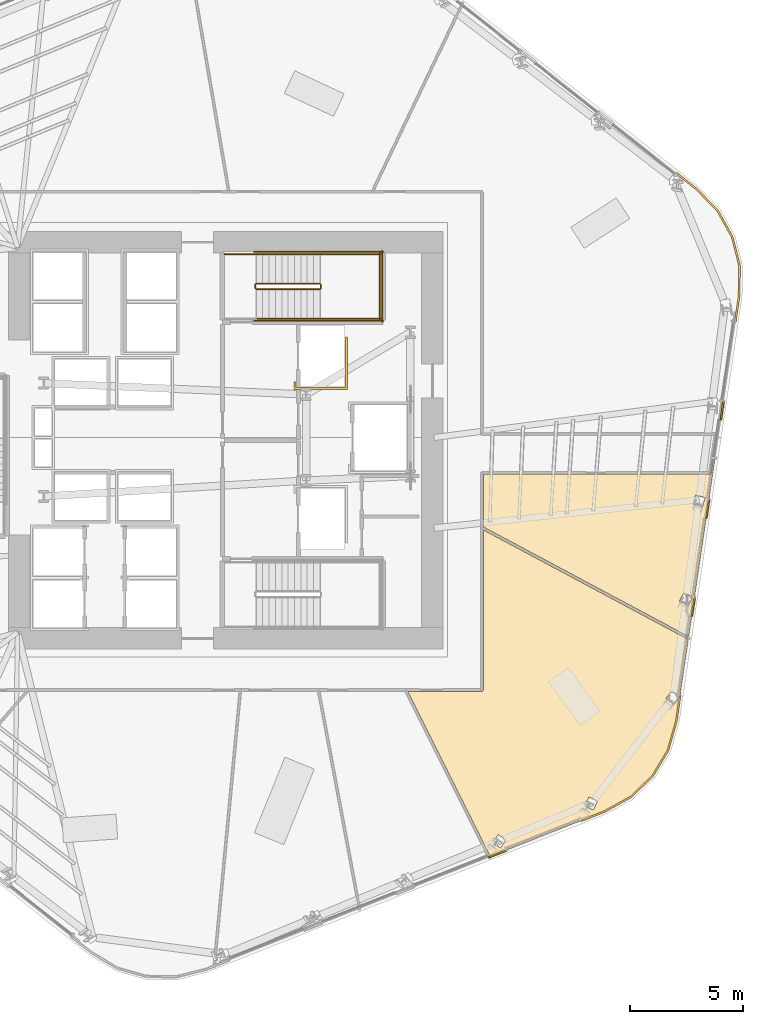
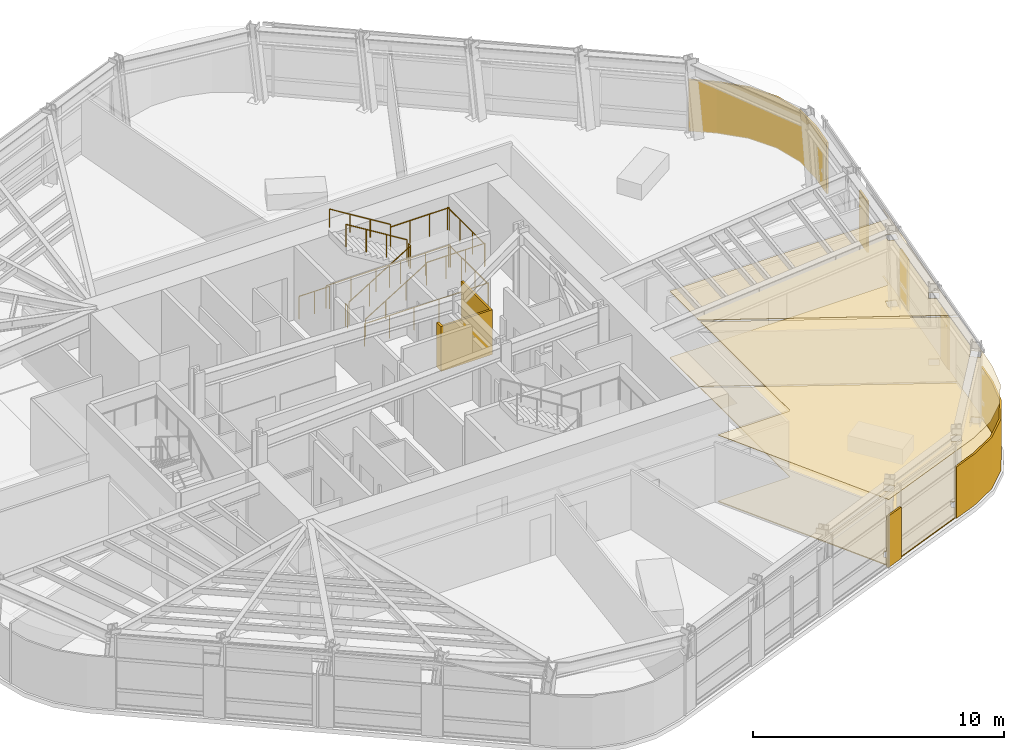
# One storey, part 15 of 17: 13 railings, 11 coverings.
"""IFC4 building model written with IfcOpenShell, lengths in metres."""

from ifc_helpers import new_model, si_unit, direction, frame, origin, origin_2d, place, context, subcontext, project, spatial, polyline, circle, outline, extrude, material, layer, layer_set, type_object, element, save


model = new_model("IFC4")

# Units and contexts
model_context = context("Model", 3, precision=1e-05, world=origin(), true_north=direction((0.0, 1.0)))
body_context = subcontext(model_context, "Body", "Model", "MODEL_VIEW")
ifc_project = project(units=[si_unit("LENGTHUNIT", "METRE"), si_unit("AREAUNIT", "SQUARE_METRE"), si_unit("VOLUMEUNIT", "CUBIC_METRE"), si_unit("PLANEANGLEUNIT", "RADIAN"), si_unit("MASSUNIT", "GRAM", prefix="KILO")], contexts=[model_context])

# Site, building, storey
site_placement = place(None, origin())
site = spatial("IfcSite", under=ifc_project, at=site_placement, CompositionType="ELEMENT")
building_placement = place(site_placement, origin())
building = spatial("IfcBuilding", under=site, at=building_placement, Name="Valkerne Bourse Tower", CompositionType="ELEMENT")
storey_placement = place(building_placement, frame((0.0, 0.0, 116.199951171875)))
storey = spatial("IfcBuildingStorey", under=building, at=storey_placement, Name="L29", CompositionType="ELEMENT", Elevation=116.199951171875)

# Coverings
ifc_material_1 = material(Name="Mineral Fiber Acoustic Ceiling Tile", Category="acoustic")
ifc_layer_1 = layer(ifc_material_1, 0.02490234375)
ifc_layer_set_1 = layer_set([ifc_layer_1], Name="Mineral Fiber Acoustic Ceiling Tile")
covering_type_1 = type_object("IfcCoveringType", Name="COV-CEIL-ACT", PredefinedType="CEILING", material=ifc_layer_set_1)
covering_1_placement = place(storey_placement, frame((0.0, 0.0, 3.22998046875)))
element("IfcCovering", 1, at=covering_1_placement, inside=storey, type_object=covering_type_1, Name="L29 Suspended Ceiling 04", PredefinedType="CEILING", context=body_context, shape_type="SweptSolid", body=[
    extrude(outline(polyline([(58.1689453125, 25.381103515625), (68.177734375, 25.381103515625), (68.218994140625, 25.39794921875), (68.240966796875, 25.435791015625), (68.330078125, 26.0390625), (68.39697265625, 26.0322265625), (67.241455078125, 18.206787109375), (58.1689453125, 23.05419921875), (58.1689453125, 25.381103515625)]), holes=[polyline([(67.40771484375, 19.938720703125), (67.0263671875, 20.14208984375), (66.83056640625, 19.77587890625), (66.82958984375, 19.77294921875), (67.2109375, 19.569580078125), (67.40673828125, 19.935791015625), (67.40771484375, 19.938720703125)]), polyline([(67.966796875, 24.340087890625), (67.552001953125, 24.46142578125), (67.434814453125, 24.06298828125), (67.4345703125, 24.059814453125), (67.849365234375, 23.9384765625), (67.96630859375, 24.3369140625), (67.966796875, 24.340087890625)])]), origin(), (0.0, 0.0, 1.0), 0.025146484375),
])
covering_2_placement = place(storey_placement, frame((0.0, 0.0, 3.22998046875)))
element("IfcCovering", 2, at=covering_2_placement, inside=storey, type_object=covering_type_1, Name="L29 Suspended Ceiling 07", PredefinedType="CEILING", context=body_context, shape_type="SweptSolid", body=[
    extrude(outline(polyline([(64.700439453125, 11.142822265625), (63.5390625, 10.49658203125), (58.4833984375, 8.494873046875), (54.8349609375, 15.781005859375), (58.1005859375, 15.781005859375), (58.135986328125, 15.791015625), (58.16259765625, 15.82080078125), (58.1689453125, 15.849609375), (58.1689453125, 22.92041015625), (67.22314453125, 18.082763671875), (66.689697265625, 14.4716796875), (66.32568359375, 13.193603515625), (65.648193359375, 12.061279296875), (64.700439453125, 11.142822265625)]), holes=[polyline([(58.92919921875, 8.872314453125), (59.173095703125, 9.227294921875), (58.83056640625, 9.46435546875), (58.827880859375, 9.462646484375), (58.583740234375, 9.10791015625), (58.926513671875, 8.87060546875), (58.92919921875, 8.872314453125)]), polyline([(63.036865234375, 10.555419921875), (63.209716796875, 10.94970703125), (62.82861328125, 11.1181640625), (62.826416015625, 11.11572265625), (62.6533203125, 10.721435546875), (63.034423828125, 10.552978515625), (63.036865234375, 10.555419921875)]), polyline([(66.836181640625, 15.538818359375), (66.499755859375, 15.81005859375), (66.23876953125, 15.4873046875), (66.237060546875, 15.484619140625), (66.573486328125, 15.213134765625), (66.83447265625, 15.535888671875), (66.836181640625, 15.538818359375)])]), origin(), (0.0, 0.0, 1.0), 0.025146484375),
])
ifc_material_2 = material(Name="Bronze Anodised Aluminium AA 6063-T6", Category="aluminium")
ifc_layer_2 = layer(ifc_material_2, 0.06005859375)
ifc_layer_set_2 = layer_set([ifc_layer_2], Name="Bronze Anodised Aluminium AA 6063-T6")
covering_type_2 = type_object("IfcCoveringType", Name="COV-CRN-ALUM", PredefinedType="CLADDING", material=ifc_layer_set_2)
covering_3_placement = place(storey_placement, origin())
element("IfcCovering", 3, at=covering_3_placement, inside=storey, type_object=covering_type_2, Name="L29 Wind-Shaped Corner Aluminium Cladding 01", PredefinedType="CLADDING", context=body_context, shape_type="SweptSolid", body=[
    extrude(outline(polyline([(66.366455078125, 13.17578125), (65.682861328125, 12.03369140625), (64.72705078125, 11.107421875), (63.55810546875, 10.456787109375), (62.493408203125, 10.03515625), (62.4638671875, 10.109619140625), (63.523681640625, 10.529052734375), (64.678955078125, 11.172119140625), (65.61962890625, 12.083740234375), (66.29248046875, 13.2080078125), (66.654541015625, 14.479248046875), (66.821044921875, 15.60693359375), (66.900146484375, 15.59521484375), (66.73291015625, 14.46240234375), (66.366455078125, 13.17578125)])), origin(), (0.0, 0.0, 1.0), 2.5),
])
covering_4_placement = place(storey_placement, origin())
element("IfcCovering", 4, at=covering_4_placement, inside=storey, type_object=covering_type_2, Name="L29 Wind-Shaped Corner Aluminium Cladding 02", PredefinedType="CLADDING", context=body_context, shape_type="SweptSolid", body=[
    extrude(outline(polyline([(58.41796875, 8.421630859375), (58.388671875, 8.49609375), (59.169677734375, 8.80517578125), (59.198974609375, 8.730712890625), (58.41796875, 8.421630859375)])), origin(), (0.0, 0.0, 1.0), 2.5),
])
covering_5_placement = place(storey_placement, origin())
element("IfcCovering", 5, at=covering_5_placement, inside=storey, type_object=covering_type_2, Name="L29 Wind-Shaped Corner Aluminium Cladding 21", PredefinedType="CLADDING", context=body_context, shape_type="SweptSolid", body=[
    extrude(outline(polyline([(67.624267578125, 37.99365234375), (68.555419921875, 37.032958984375), (69.20263671875, 35.869873046875), (69.527099609375, 34.578857421875), (69.505859375, 33.2412109375), (69.338623046875, 32.1083984375), (69.259521484375, 32.119873046875), (69.426025390625, 33.247802734375), (69.44677734375, 34.569580078125), (69.127685546875, 35.840087890625), (68.490478515625, 36.98486328125), (67.570556640625, 37.93408203125), (66.677001953125, 38.642333984375), (66.726806640625, 38.705078125), (67.624267578125, 37.99365234375)])), origin(), (0.0, 0.0, 1.0), 2.5),
])
covering_6_placement = place(storey_placement, origin())
element("IfcCovering", 6, at=covering_6_placement, inside=storey, type_object=covering_type_2, Name="L29 Wind-Shaped Corner Aluminium Cladding 22", PredefinedType="CLADDING", context=body_context, shape_type="SweptSolid", body=[
    extrude(outline(polyline([(68.6982421875, 27.772216796875), (68.619140625, 27.783935546875), (68.741943359375, 28.614990234375), (68.821044921875, 28.603271484375), (68.6982421875, 27.772216796875)])), origin(), (0.0, 0.0, 1.0), 2.5),
])
covering_7_placement = place(storey_placement, origin())
element("IfcCovering", 7, at=covering_7_placement, inside=storey, type_object=covering_type_2, Name="L29 Wind-Shaped Corner Aluminium Cladding 23", PredefinedType="CLADDING", context=body_context, shape_type="SweptSolid", body=[
    extrude(outline(polyline([(68.05810546875, 23.436279296875), (67.97900390625, 23.447998046875), (68.1015625, 24.27880859375), (68.180908203125, 24.26708984375), (68.05810546875, 23.436279296875)])), origin(), (0.0, 0.0, 1.0), 2.5),
])
covering_8_placement = place(storey_placement, origin())
element("IfcCovering", 8, at=covering_8_placement, inside=storey, type_object=covering_type_2, Name="L29 Wind-Shaped Corner Aluminium Cladding 24", PredefinedType="CLADDING", context=body_context, shape_type="SweptSolid", body=[
    extrude(outline(polyline([(67.417724609375, 19.100341796875), (67.338623046875, 19.112060546875), (67.46142578125, 19.943115234375), (67.54052734375, 19.931396484375), (67.417724609375, 19.100341796875)])), origin(), (0.0, 0.0, 1.0), 2.5),
])
ifc_material_3 = material(Name="Galvanised Painted Steel", Category="steel")
ifc_layer_3 = layer(ifc_material_3, 0.044921875)
ifc_layer_set_3 = layer_set([ifc_layer_3], Name="Galvanised Painted Steel")
covering_type_3 = type_object("IfcCoveringType", Name="COV-FLR-RAF", PredefinedType="FLOORING", material=ifc_layer_set_3)
covering_9_placement = place(storey_placement, origin())
element("IfcCovering", 9, at=covering_9_placement, inside=storey, type_object=covering_type_3, Name="L29 Floor Finish 07", PredefinedType="FLOORING", context=body_context, shape_type="SweptSolid", body=[
    extrude(outline(polyline([(64.700439453125, 11.142822265625), (63.5390625, 10.49658203125), (58.4833984375, 8.494873046875), (54.8349609375, 15.781005859375), (58.1005859375, 15.781005859375), (58.135986328125, 15.791015625), (58.16259765625, 15.82080078125), (58.1689453125, 15.849609375), (58.1689453125, 22.92041015625), (67.22314453125, 18.082763671875), (66.689697265625, 14.4716796875), (66.32568359375, 13.193603515625), (65.648193359375, 12.061279296875), (64.700439453125, 11.142822265625)]), holes=[polyline([(58.92919921875, 8.872314453125), (59.173095703125, 9.227294921875), (58.83056640625, 9.46435546875), (58.827880859375, 9.462646484375), (58.583740234375, 9.10791015625), (58.926513671875, 8.87060546875), (58.92919921875, 8.872314453125)]), polyline([(63.036865234375, 10.555419921875), (63.209716796875, 10.94970703125), (62.82861328125, 11.1181640625), (62.826416015625, 11.11572265625), (62.6533203125, 10.721435546875), (63.034423828125, 10.552978515625), (63.036865234375, 10.555419921875)]), polyline([(66.836181640625, 15.538818359375), (66.499755859375, 15.81005859375), (66.23876953125, 15.4873046875), (66.237060546875, 15.484619140625), (66.573486328125, 15.213134765625), (66.83447265625, 15.535888671875), (66.836181640625, 15.538818359375)])]), origin(), (0.0, 0.0, 1.0), 0.045166015625),
])
ifc_material_4 = material(Name="Polished Granite Stone", Category="masonry")
ifc_layer_4 = layer(ifc_material_4, 0.030029296875)
ifc_layer_set_4 = layer_set([ifc_layer_4], Name="Polished Granite Stone")
covering_type_4 = type_object("IfcCoveringType", Name="COV-FLR-TERRAZZO", PredefinedType="FLOORING", material=ifc_layer_set_4)
covering_10_placement = place(storey_placement, origin())
element("IfcCovering", 10, at=covering_10_placement, inside=storey, type_object=covering_type_4, Name="L29 Floor Finish 04", PredefinedType="FLOORING", context=body_context, shape_type="SweptSolid", body=[
    extrude(outline(polyline([(58.1689453125, 25.381103515625), (68.177734375, 25.381103515625), (68.218994140625, 25.39794921875), (68.240966796875, 25.435791015625), (68.330078125, 26.0390625), (68.39697265625, 26.0322265625), (67.241455078125, 18.206787109375), (58.1689453125, 23.05419921875), (58.1689453125, 25.381103515625)]), holes=[polyline([(67.40771484375, 19.938720703125), (67.0263671875, 20.14208984375), (66.83056640625, 19.77587890625), (66.82958984375, 19.77294921875), (67.2109375, 19.569580078125), (67.40673828125, 19.935791015625), (67.40771484375, 19.938720703125)]), polyline([(67.966796875, 24.340087890625), (67.552001953125, 24.46142578125), (67.434814453125, 24.06298828125), (67.4345703125, 24.059814453125), (67.849365234375, 23.9384765625), (67.96630859375, 24.3369140625), (67.966796875, 24.340087890625)])]), origin(), (0.0, 0.0, 1.0), 0.030029296875),
])
ifc_material_5 = material(Name="Gypsum Shaftwall Liner Board", Category="gypsum")
ifc_layer_5 = layer(ifc_material_5, 0.080078125)
ifc_layer_set_5 = layer_set([ifc_layer_5], Name="Gypsum Shaftwall Liner Board")
covering_type_5 = type_object("IfcCoveringType", Name="COV-SHF-CLAD", PredefinedType="CLADDING", material=ifc_layer_set_5)
covering_11_placement = place(storey_placement, origin())
element("IfcCovering", 11, at=covering_11_placement, inside=storey, type_object=covering_type_5, Name="L29 Hoistway & Riser Shaftwall Liner 10", PredefinedType="CLADDING", context=body_context, shape_type="SweptSolid", body=[
    extrude(outline(polyline([(49.820068359375, 29.1201171875), (49.820068359375, 29.468017578125), (49.827880859375, 29.46435546875), (49.869384765625, 29.449462890625), (49.909912109375, 29.439208984375), (49.909912109375, 29.2099609375), (52.090087890625, 29.2099609375), (52.090087890625, 31.449951171875), (52.179931640625, 31.449951171875), (52.179931640625, 29.1201171875), (49.820068359375, 29.1201171875)])), origin(), (0.0, 0.0, 1.0), 2.179931640625),
])

# Railings
railing_type_1 = type_object("IfcRailingType", Name="RLG-ST-GUARD-1120", PredefinedType="GUARDRAIL", material=ifc_material_3)
railing_1_placement = place(storey_placement, frame((48.14990234375, 33.550048828125, 0.1728515625)))
element("IfcRailing", 12, at=railing_1_placement, inside=storey, type_object=railing_type_1, Name="L29 ST-2 stair guard 1", PredefinedType="GUARDRAIL", context=body_context, shape_type="SweptSolid", body=[
    extrude(circle(Radius=0.02392578125, at=origin_2d()), frame((0.0, 0.0, 1.09619140625), z_axis=(0.851089632645, 0.0, 0.525020415988), x_axis=(0.0, 1.0, 0.0)), (0.0, 0.0, 1.0), 3.2900390625),
    extrude(circle(Radius=0.02099609375, at=origin_2d()), origin(), (0.0, 0.0, 1.0), 1.072021484375),
    extrude(circle(Radius=0.02099609375, at=origin_2d()), frame((0.933349609375, 0.0, 0.57568359375)), (0.0, 0.0, 1.0), 1.072021484375),
    extrude(circle(Radius=0.02099609375, at=origin_2d()), frame((1.86669921875, 0.0, 1.151611328125)), (0.0, 0.0, 1.0), 1.072021484375),
    extrude(circle(Radius=0.02099609375, at=origin_2d()), frame((2.800048828125, 0.0, 1.727294921875)), (0.0, 0.0, 1.0), 1.072021484375),
])
railing_2_placement = place(storey_placement, frame((51.0, 33.60009765625, 1.900146484375)))
element("IfcRailing", 13, at=railing_2_placement, inside=storey, type_object=railing_type_1, Name="L29 ST-2 stair guard 2", PredefinedType="GUARDRAIL", context=body_context, shape_type="SweptSolid", body=[
    extrude(circle(Radius=0.02392578125, at=origin_2d()), frame((0.0, 0.0, 1.09619140625), z_axis=(0.0, 1.0, 0.0), x_axis=(-1.0, 0.0, 0.0)), (0.0, 0.0, 1.0), 0.14990234375),
    extrude(circle(Radius=0.02099609375, at=origin_2d()), origin(), (0.0, 0.0, 1.0), 1.072021484375),
    extrude(circle(Radius=0.02099609375, at=origin_2d()), frame((0.0, 0.14990234375, 0.0)), (0.0, 0.0, 1.0), 1.072021484375),
])
for number, where, name in (
    (14, (50.949951171875, 32.25, 1.900146484375), "L29 ST-2 stair guard 3"),
    (15, (50.949951171875, 35.10009765625, 1.900146484375), "L29 ST-2 stair guard 4"),
):
    element("IfcRailing", number, at=place(storey_placement, frame(where)), inside=storey, type_object=railing_type_1, Name=name, PredefinedType="GUARDRAIL", context=body_context, shape_type="SweptSolid", body=[
        extrude(circle(Radius=0.02392578125, at=origin_2d()), frame((0.0, 0.0, 1.09619140625), z_axis=(1.0, 0.0, 0.0), x_axis=(0.0, 1.0, 0.0)), (0.0, 0.0, 1.0), 2.699951171875),
        extrude(circle(Radius=0.02099609375, at=origin_2d()), origin(), (0.0, 0.0, 1.0), 1.072021484375),
        extrude(circle(Radius=0.02099609375, at=origin_2d()), frame((0.89990234375, 0.0, 0.0)), (0.0, 0.0, 1.0), 1.072021484375),
        extrude(circle(Radius=0.02099609375, at=origin_2d()), frame((1.800048828125, 0.0, 0.0)), (0.0, 0.0, 1.0), 1.072021484375),
        extrude(circle(Radius=0.02099609375, at=origin_2d()), frame((2.699951171875, 0.0, 0.0)), (0.0, 0.0, 1.0), 1.072021484375),
    ])
railing_3_placement = place(storey_placement, frame((53.60009765625, 32.199951171875, 1.900146484375)))
element("IfcRailing", 16, at=railing_3_placement, inside=storey, type_object=railing_type_1, Name="L29 ST-2 stair guard 5", PredefinedType="GUARDRAIL", context=body_context, shape_type="SweptSolid", body=[
    extrude(circle(Radius=0.02392578125, at=origin_2d()), frame((0.0, 0.0, 1.09619140625), z_axis=(0.0, 1.0, 0.0), x_axis=(-1.0, 0.0, 0.0)), (0.0, 0.0, 1.0), 2.949951171875),
    extrude(circle(Radius=0.02099609375, at=origin_2d()), origin(), (0.0, 0.0, 1.0), 1.072021484375),
    extrude(circle(Radius=0.02099609375, at=origin_2d()), frame((0.0, 0.9833984375, 0.0)), (0.0, 0.0, 1.0), 1.072021484375),
    extrude(circle(Radius=0.02099609375, at=origin_2d()), frame((0.0, 1.966552734375, 0.0)), (0.0, 0.0, 1.0), 1.072021484375),
    extrude(circle(Radius=0.02099609375, at=origin_2d()), frame((0.0, 2.949951171875, 0.0)), (0.0, 0.0, 1.0), 1.072021484375),
])
railing_4_placement = place(storey_placement, frame((50.949951171875, 33.800048828125, 2.07275390625)))
element("IfcRailing", 17, at=railing_4_placement, inside=storey, type_object=railing_type_1, Name="L29 ST-2 stair guard 6", PredefinedType="GUARDRAIL", context=body_context, shape_type="SweptSolid", body=[
    extrude(circle(Radius=0.02392578125, at=origin_2d()), frame((0.0, 0.0, 1.09619140625), z_axis=(-0.851089632645, 0.0, 0.525020415988), x_axis=(0.0, -1.0, 0.0)), (0.0, 0.0, 1.0), 3.2900390625),
    extrude(circle(Radius=0.02099609375, at=origin_2d()), origin(), (0.0, 0.0, 1.0), 1.072021484375),
    extrude(circle(Radius=0.02099609375, at=origin_2d()), frame((-0.933349609375, 0.0, 0.57568359375)), (0.0, 0.0, 1.0), 1.072021484375),
    extrude(circle(Radius=0.02099609375, at=origin_2d()), frame((-1.86669921875, 0.0, 1.151611328125)), (0.0, 0.0, 1.0), 1.072021484375),
    extrude(circle(Radius=0.02099609375, at=origin_2d()), frame((-2.800048828125, 0.0, 1.727294921875)), (0.0, 0.0, 1.0), 1.072021484375),
])
railing_5_placement = place(storey_placement, frame((48.10009765625, 33.60009765625, 0.0)))
element("IfcRailing", 18, at=railing_5_placement, inside=storey, type_object=railing_type_1, Name="L29 ST-2 stair guard 7", PredefinedType="GUARDRAIL", context=body_context, shape_type="SweptSolid", body=[
    extrude(circle(Radius=0.02392578125, at=origin_2d()), frame((0.0, 0.0, 1.09619140625), z_axis=(0.0, 1.0, 0.0), x_axis=(-1.0, 0.0, 0.0)), (0.0, 0.0, 1.0), 0.14990234375),
    extrude(circle(Radius=0.02099609375, at=origin_2d()), origin(), (0.0, 0.0, 1.0), 1.072021484375),
    extrude(circle(Radius=0.02099609375, at=origin_2d()), frame((0.0, 0.14990234375, 0.0)), (0.0, 0.0, 1.0), 1.072021484375),
])
railing_6_placement = place(storey_placement, frame((46.75, 35.10009765625, 0.0)))
element("IfcRailing", 19, at=railing_6_placement, inside=storey, type_object=railing_type_1, Name="L29 ST-2 stair guard 9", PredefinedType="GUARDRAIL", context=body_context, shape_type="SweptSolid", body=[
    extrude(circle(Radius=0.02392578125, at=origin_2d()), frame((0.0, 0.0, 1.09619140625), z_axis=(1.0, 0.0, 0.0), x_axis=(0.0, 1.0, 0.0)), (0.0, 0.0, 1.0), 1.39990234375),
    extrude(circle(Radius=0.02099609375, at=origin_2d()), origin(), (0.0, 0.0, 1.0), 1.072021484375),
    extrude(circle(Radius=0.02099609375, at=origin_2d()), frame((0.699951171875, 0.0, 0.0)), (0.0, 0.0, 1.0), 1.072021484375),
    extrude(circle(Radius=0.02099609375, at=origin_2d()), frame((1.39990234375, 0.0, 0.0)), (0.0, 0.0, 1.0), 1.072021484375),
])
for number, where, name in (
    (20, (48.050048828125, 32.14990234375, 0.0), "L29 ST-2 stair guard 10"),
    (21, (48.050048828125, 35.199951171875, 0.0), "L29 ST-2 stair guard 11"),
):
    element("IfcRailing", number, at=place(storey_placement, frame(where)), inside=storey, type_object=railing_type_1, Name=name, PredefinedType="GUARDRAIL", context=body_context, shape_type="SweptSolid", body=[
        extrude(circle(Radius=0.02392578125, at=origin_2d()), frame((0.0, 0.0, 1.09619140625), z_axis=(1.0, 0.0, 0.0), x_axis=(0.0, 1.0, 0.0)), (0.0, 0.0, 1.0), 5.699951171875),
        extrude(circle(Radius=0.02099609375, at=origin_2d()), origin(), (0.0, 0.0, 1.0), 1.072021484375),
        extrude(circle(Radius=0.02099609375, at=origin_2d()), frame((1.139892578125, 0.0, 0.0)), (0.0, 0.0, 1.0), 1.072021484375),
        extrude(circle(Radius=0.02099609375, at=origin_2d()), frame((2.280029296875, 0.0, 0.0)), (0.0, 0.0, 1.0), 1.072021484375),
        extrude(circle(Radius=0.02099609375, at=origin_2d()), frame((3.419921875, 0.0, 0.0)), (0.0, 0.0, 1.0), 1.072021484375),
        extrude(circle(Radius=0.02099609375, at=origin_2d()), frame((4.56005859375, 0.0, 0.0)), (0.0, 0.0, 1.0), 1.072021484375),
        extrude(circle(Radius=0.02099609375, at=origin_2d()), frame((5.699951171875, 0.0, 0.0)), (0.0, 0.0, 1.0), 1.072021484375),
    ])
railing_7_placement = place(storey_placement, frame((53.699951171875, 32.10009765625, 0.0)))
element("IfcRailing", 22, at=railing_7_placement, inside=storey, type_object=railing_type_1, Name="L29 ST-2 stair guard 12", PredefinedType="GUARDRAIL", context=body_context, shape_type="SweptSolid", body=[
    extrude(circle(Radius=0.02392578125, at=origin_2d()), frame((0.0, 0.0, 1.09619140625), z_axis=(0.0, 1.0, 0.0), x_axis=(-1.0, 0.0, 0.0)), (0.0, 0.0, 1.0), 3.14990234375),
    extrude(circle(Radius=0.02099609375, at=origin_2d()), origin(), (0.0, 0.0, 1.0), 1.072021484375),
    extrude(circle(Radius=0.02099609375, at=origin_2d()), frame((0.0, 1.050048828125, 0.0)), (0.0, 0.0, 1.0), 1.072021484375),
    extrude(circle(Radius=0.02099609375, at=origin_2d()), frame((0.0, 2.099853515625, 0.0)), (0.0, 0.0, 1.0), 1.072021484375),
    extrude(circle(Radius=0.02099609375, at=origin_2d()), frame((0.0, 3.14990234375, 0.0)), (0.0, 0.0, 1.0), 1.072021484375),
])
ifc_material_6 = material(Name="Stainless Steel AISI 316", Category="steel")
railing_type_2 = type_object("IfcRailingType", Name="RLG-ST-HANDRAIL-900", PredefinedType="HANDRAIL", material=ifc_material_6)
railing_8_placement = place(storey_placement, frame((48.14990234375, 32.25, 0.345458984375)))
element("IfcRailing", 23, at=railing_8_placement, inside=storey, type_object=railing_type_2, Name="L29 ST-2 stair handrail 1", PredefinedType="HANDRAIL", context=body_context, shape_type="SweptSolid", body=[
    extrude(circle(Radius=0.02392578125, at=origin_2d()), frame((0.0, 0.0, 0.8759765625), z_axis=(0.851089632645, 0.0, 0.525020415988), x_axis=(0.0, 1.0, 0.0)), (0.0, 0.0, 1.0), 3.2900390625),
    extrude(circle(Radius=0.02099609375, at=origin_2d()), origin(), (0.0, 0.0, 1.0), 0.851806640625),
    extrude(circle(Radius=0.02099609375, at=origin_2d()), frame((0.933349609375, 0.0, 0.57568359375)), (0.0, 0.0, 1.0), 0.851806640625),
    extrude(circle(Radius=0.02099609375, at=origin_2d()), frame((1.86669921875, 0.0, 1.151611328125)), (0.0, 0.0, 1.0), 0.851806640625),
    extrude(circle(Radius=0.02099609375, at=origin_2d()), frame((2.800048828125, 0.0, 1.727294921875)), (0.0, 0.0, 1.0), 0.851806640625),
])
railing_9_placement = place(storey_placement, frame((50.949951171875, 35.10009765625, 2.24560546875)))
element("IfcRailing", 24, at=railing_9_placement, inside=storey, type_object=railing_type_2, Name="L29 ST-2 stair handrail 2", PredefinedType="HANDRAIL", context=body_context, shape_type="SweptSolid", body=[
    extrude(circle(Radius=0.02392578125, at=origin_2d()), frame((0.0, 0.0, 0.8759765625), z_axis=(-0.851122791225, 0.0, 0.524966660138), x_axis=(0.0, -1.0, 0.0)), (0.0, 0.0, 1.0), 3.289794921875),
    extrude(circle(Radius=0.02099609375, at=origin_2d()), origin(), (0.0, 0.0, 1.0), 0.851806640625),
    extrude(circle(Radius=0.02099609375, at=origin_2d()), frame((-0.933349609375, 0.0, 0.57568359375)), (0.0, 0.0, 1.0), 0.851806640625),
    extrude(circle(Radius=0.02099609375, at=origin_2d()), frame((-1.86669921875, 0.0, 1.1513671875)), (0.0, 0.0, 1.0), 0.851806640625),
    extrude(circle(Radius=0.02099609375, at=origin_2d()), frame((-2.800048828125, 0.0, 1.72705078125)), (0.0, 0.0, 1.0), 0.851806640625),
])

save(model, "model.ifc")
